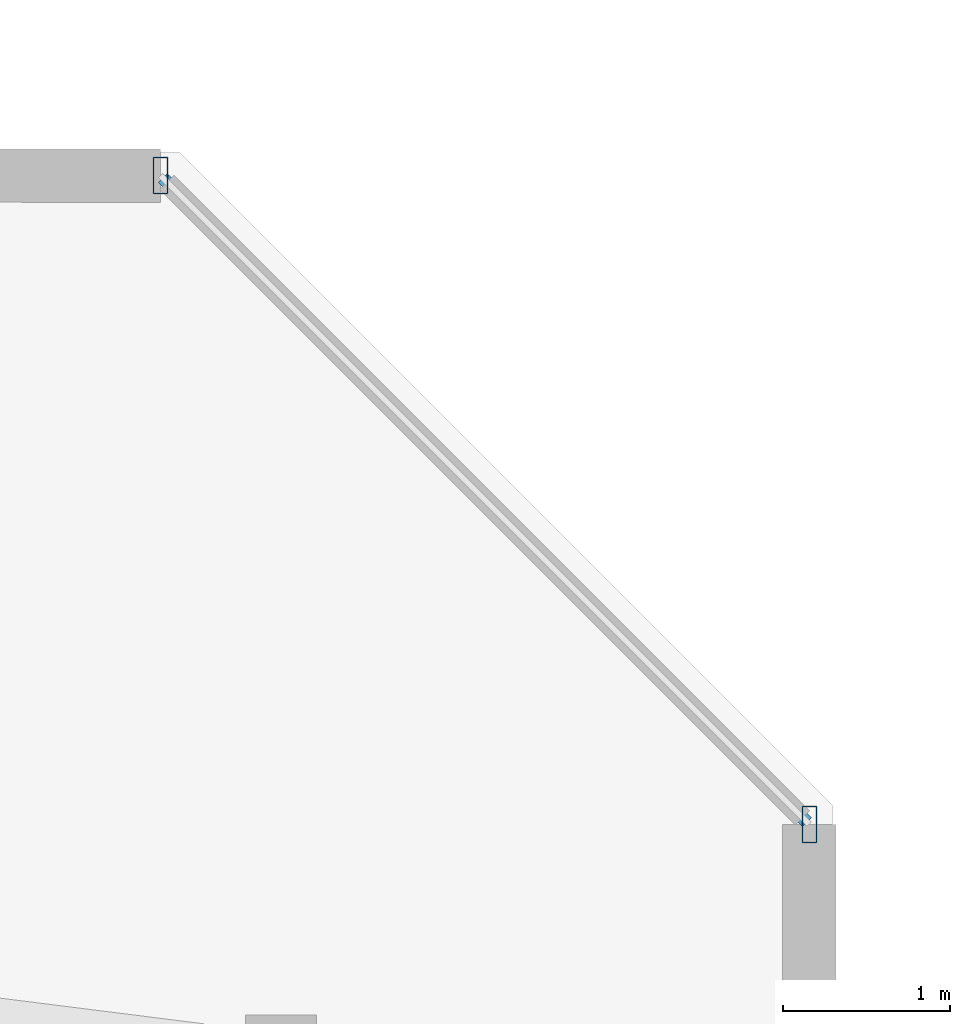
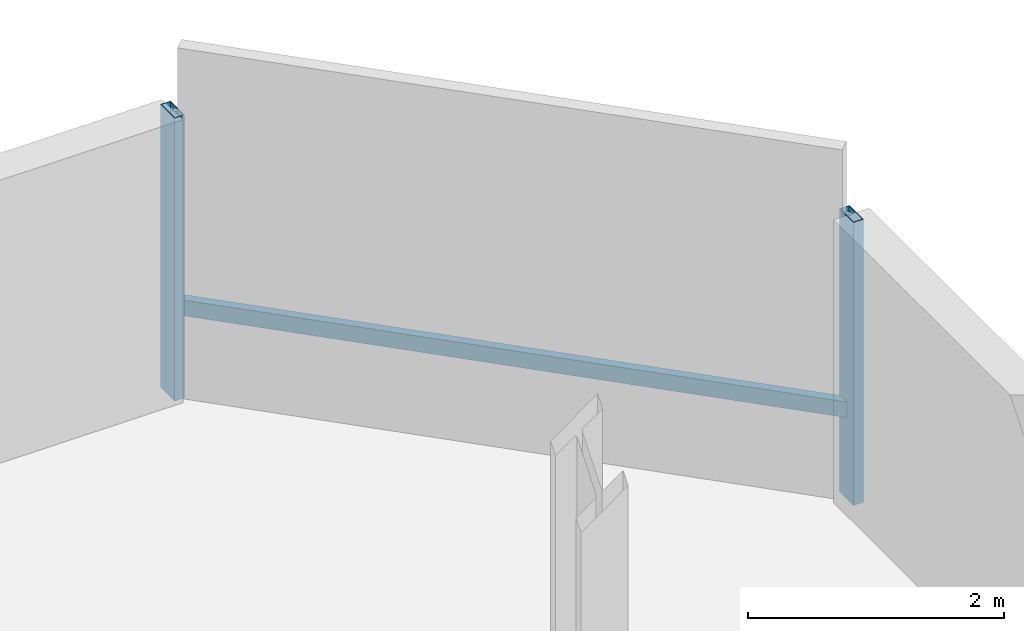
# One storey, part 10 of 34: 3 members, 1 element without a shape of its own.
"""IFC4 building model written with IfcOpenShell, lengths in metres."""

from ifc_helpers import new_model, si_unit, direction, frame, origin, origin_2d, place, context, subcontext, project, spatial, hollow_rectangle, extrude, material, material_profile, profile_set, type_object, element, aggregate, save


model = new_model("IFC4")

# Units and contexts
model_context = context("Model", 3, precision=1e-05, world=origin(), true_north=direction((0.0, 1.0)))
body_context = subcontext(model_context, "Body", "Model", "MODEL_VIEW")
ifc_project = project(units=[si_unit("LENGTHUNIT", "METRE"), si_unit("AREAUNIT", "SQUARE_METRE"), si_unit("VOLUMEUNIT", "CUBIC_METRE"), si_unit("PLANEANGLEUNIT", "RADIAN"), si_unit("MASSUNIT", "GRAM", prefix="KILO")], contexts=[model_context])

# Site, building, storey
site_placement = place(None, origin())
site = spatial("IfcSite", under=ifc_project, at=site_placement, CompositionType="ELEMENT")
building_placement = place(site_placement, origin())
building = spatial("IfcBuilding", under=site, at=building_placement, Name="Thornwick Lancets Civic Towers", CompositionType="ELEMENT")
storey_placement = place(building_placement, frame((0.0, 0.0, 53.699951171875)))
storey = spatial("IfcBuildingStorey", under=building, at=storey_placement, Name="L13", CompositionType="ELEMENT", Elevation=53.699951171875)

# Curtain wall, members
ifc_material_1 = material(Name="Low-zone chamfered-corner unitised glass curtain wall", Category="glass")
curtain_wall_type = type_object("IfcCurtainWallType", Name="CW_SYS_03", PredefinedType="NOTDEFINED", material=ifc_material_1)
curtain_wall_placement = place(storey_placement, origin())
curtain_wall = element("IfcCurtainWall", 1, at=curtain_wall_placement, inside=storey, type_object=curtain_wall_type, Name="L13 Curtain Wall CW-L13-A-E3", PredefinedType="NOTDEFINED")
ifc_material_2 = material(Name="Thermally broken bronze aluminium S355", Category="steel")
ifc_material_profile_1 = material_profile(ifc_material_2, hollow_rectangle(XDim=0.090087890625, YDim=0.219970703125, WallThickness=0.00634765625, at=origin_2d()), Name="RHS 220x90x6.3")
ifc_profile_set_1 = profile_set([ifc_material_profile_1], Name="Thermally broken bronze aluminium S355")
member_type_1 = type_object("IfcMemberType", Name="CW_MUL_220", PredefinedType="MULLION", material=ifc_profile_set_1)
member_1_placement = place(storey_placement, frame((49.760498046875, 41.377197265625, 0.0), z_axis=(0.0, 0.0, 1.0), x_axis=(1.0, 0.0, 0.0)))
member_1 = element("IfcMember", 2, at=member_1_placement, type_object=member_type_1, Name="CW-L13-A-E3 Mullion 0", PredefinedType="MULLION", context=body_context, shape_type="SweptSolid", body=[
    extrude(hollow_rectangle(XDim=0.090087890625, YDim=0.219970703125, WallThickness=0.00634765625, at=origin_2d()), origin(), (0.0, 0.0, 1.0), 2.699951171875),
])
member_2_placement = place(storey_placement, frame((45.877197265625, 45.260498046875, 0.0), z_axis=(0.0, 0.0, 1.0), x_axis=(1.0, 0.0, 0.0)))
member_2 = element("IfcMember", 3, at=member_2_placement, type_object=member_type_1, Name="CW-L13-A-E3 Mullion 1", PredefinedType="MULLION", context=body_context, shape_type="SweptSolid", body=[
    extrude(hollow_rectangle(XDim=0.090087890625, YDim=0.219970703125, WallThickness=0.00634765625, at=origin_2d()), origin(), (0.0, 0.0, 1.0), 2.699951171875),
])
ifc_material_profile_2 = material_profile(ifc_material_2, hollow_rectangle(XDim=0.074951171875, YDim=0.14990234375, WallThickness=0.0048828125, at=origin_2d()), Name="RHS 150x75x5")
ifc_profile_set_2 = profile_set([ifc_material_profile_2], Name="Thermally broken bronze aluminium S355")
member_type_2 = type_object("IfcMemberType", Name="CW_TRN_150", PredefinedType="USERDEFINED", material=ifc_profile_set_2)
member_3_placement = place(storey_placement, frame((49.74658203125, 41.39111328125, 0.85009765625), z_axis=(-0.707106781187, 0.707106781187, 0.0), x_axis=(-0.707106781187, -0.707106781187, 0.0)))
member_3 = element("IfcMember", 4, at=member_3_placement, type_object=member_type_2, Name="CW-L13-A-E3 Transom 0", ObjectType="TRANSOM", PredefinedType="USERDEFINED", context=body_context, shape_type="SweptSolid", body=[
    extrude(hollow_rectangle(XDim=0.074951171875, YDim=0.14990234375, WallThickness=0.0048828125, at=origin_2d()), origin(), (0.0, 0.0, 1.0), 5.452392578125),
])
aggregate(curtain_wall, [member_1, member_2, member_3])

save(model, "model.ifc")
